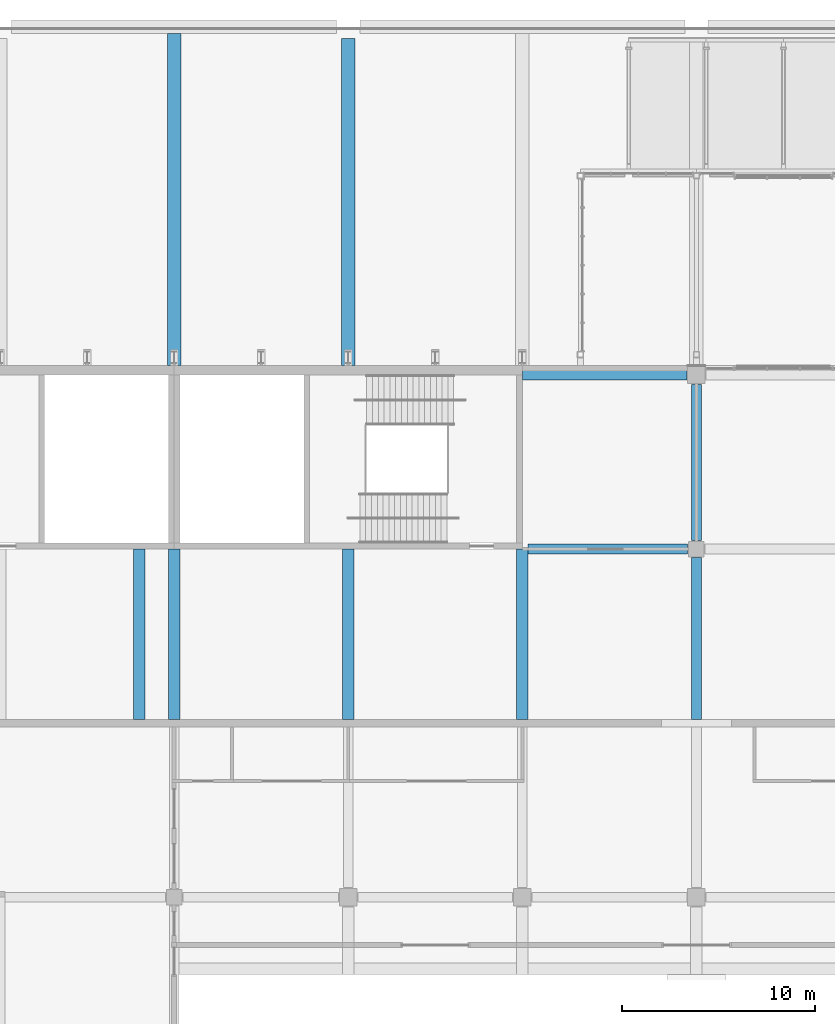
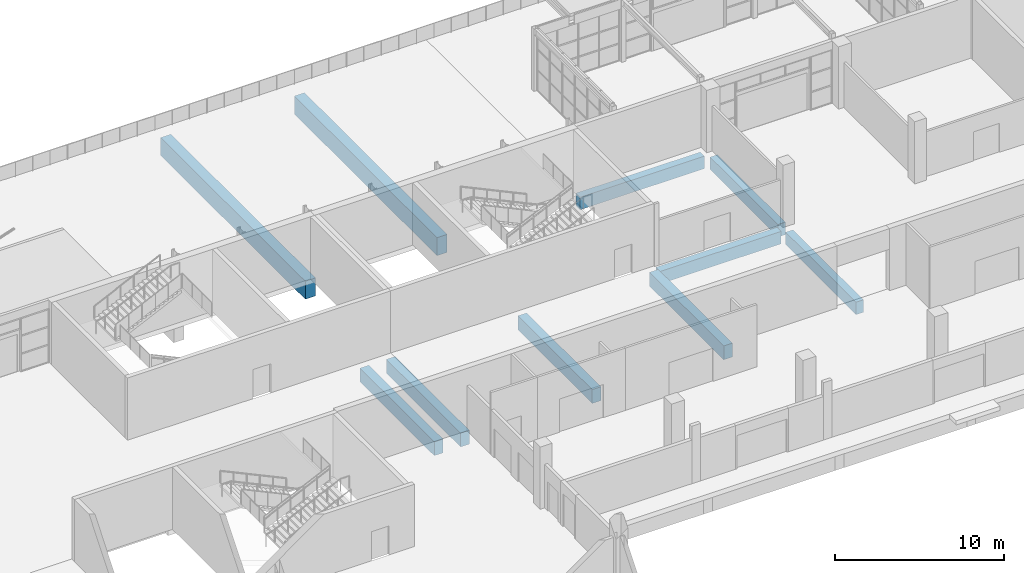
# One storey, part 57 of 168: 10 beams.
"""IFC4 building model written with IfcOpenShell, lengths in metres."""

import ifcopenshell
import ifcopenshell.guid

model = None  # the IFC model being written
_history = None  # IfcOwnerHistory: only IFC2X3 demands one
_inside = {}  # id of a spatial element -> (the spatial element, [elements in it])
_under = {}  # id of a project, library or spatial element -> (it, [spatial elements below it])
_declared = {}  # id of a project -> (the project, [libraries it declares])
_typed = {}  # id of a type object -> (the type object, [elements of that type])
_made_of = {}  # id of a material, layer set ... -> (it, [elements and type objects made of it])


def new_model(schema):
    """Start an empty IFC model of exactly this schema.

    Asked for "IFC4X3", IfcOpenShell would pick the latest addendum, in which some entities
    have other attributes; the version numbers below select the first issue.
    IFC2X3 requires an IfcOwnerHistory on every rooted entity: one is made here for all.
    """
    global model, _history
    if schema == "IFC4X3":
        model = ifcopenshell.file(schema_version=(4, 3, 0, 0))
    else:
        model = ifcopenshell.file(schema=schema)
    _inside.clear()
    _under.clear()
    _declared.clear()
    _typed.clear()
    _made_of.clear()
    _history = None
    if model.schema == "IFC2X3":
        org = make("IfcOrganization", Name="unknown")
        user = make(
            "IfcPersonAndOrganization",
            ThePerson=make("IfcPerson", FamilyName="unknown"),
            TheOrganization=org,
        )
        app = make(
            "IfcApplication",
            ApplicationDeveloper=org,
            Version="unknown",
            ApplicationFullName="unknown",
            ApplicationIdentifier="unknown",
        )
        _history = make(
            "IfcOwnerHistory",
            OwningUser=user,
            OwningApplication=app,
            ChangeAction="ADDED",
            CreationDate=0,
        )
    return model


def make(cls, **values):
    """One entity of the class cls with the attributes given. An attribute that is None is left unset."""
    return model.create_entity(
        cls, **{name: value for name, value in values.items() if value is not None}
    )


def rooted(cls, **values):
    """An entity with a GlobalId (a new one), such as an element, a storey or a relation."""
    return make(cls, GlobalId=ifcopenshell.guid.new(), OwnerHistory=_history, **values)


def si_unit(unit_type, name, prefix=None):
    """IfcSIUnit, for example si_unit("LENGTHUNIT", "METRE", prefix="MILLI")."""
    return make("IfcSIUnit", UnitType=unit_type, Prefix=prefix, Name=name)


def assignment(units):
    """IfcUnitAssignment: the units of a project."""
    return None if units is None else make("IfcUnitAssignment", Units=units)


def point(xyz):
    """IfcCartesianPoint."""
    return None if xyz is None else make("IfcCartesianPoint", Coordinates=xyz)


def direction(xyz):
    """IfcDirection."""
    return None if xyz is None else make("IfcDirection", DirectionRatios=xyz)


def frame(location, z_axis=None, x_axis=None):
    """IfcAxis2Placement3D, a coordinate frame: its origin and axes. An axis left out is left unset."""
    return make(
        "IfcAxis2Placement3D",
        Location=point(location),
        Axis=direction(z_axis),
        RefDirection=direction(x_axis),
    )


def frame_2d(location, x_axis=None):
    """IfcAxis2Placement2D, a coordinate frame in the plane: its origin and x axis."""
    return make(
        "IfcAxis2Placement2D", Location=point(location), RefDirection=direction(x_axis)
    )


def origin():
    """The frame at (0, 0, 0) with its axes left unset."""
    return frame((0.0, 0.0, 0.0))


def origin_2d():
    """The frame at (0, 0) in the plane with its x axis left unset."""
    return frame_2d((0.0, 0.0))


def place(relative_to, where):
    """IfcLocalPlacement: puts the frame where relative to a parent placement (None: the world)."""
    return make(
        "IfcLocalPlacement", PlacementRelTo=relative_to, RelativePlacement=where
    )


def context(
    kind, dimensions, precision=None, world=None, true_north=None, identifier=None
):
    """IfcGeometricRepresentationContext, for example the 3D "Model" context."""
    return make(
        "IfcGeometricRepresentationContext",
        ContextIdentifier=identifier,
        ContextType=kind,
        CoordinateSpaceDimension=dimensions,
        Precision=precision,
        WorldCoordinateSystem=world,
        TrueNorth=true_north,
    )


def subcontext(parent, identifier, kind, view, scale=None):
    """IfcGeometricRepresentationSubContext, for example "Body" below "Model"."""
    return make(
        "IfcGeometricRepresentationSubContext",
        ContextIdentifier=identifier,
        ContextType=kind,
        ParentContext=parent,
        TargetScale=scale,
        TargetView=view,
    )


def project(units=None, contexts=None):
    """IfcProject with its units and contexts."""
    return rooted(
        "IfcProject",
        Name="project",
        RepresentationContexts=contexts,
        UnitsInContext=assignment(units),
    )


def spatial(cls, under=None, at=None, **own):
    """A site, building, storey or space (cls), placed at a placement, below another one or the project."""
    s = rooted(cls, ObjectPlacement=at, **own)
    if under is not None:
        _under.setdefault(under.id(), (under, []))[1].append(s)
    return s


def profile(cls, at=None, kind="AREA", **sizes):
    """A parametric profile (cls). Its sizes go by their IFC names, for example OverallWidth=200.0."""
    return make(cls, ProfileType=kind, Position=at, **sizes)


def rectangle(**sizes):
    """IfcRectangleProfileDef."""
    return profile("IfcRectangleProfileDef", **sizes)


def extrude(swept, where, along, depth):
    """IfcExtrudedAreaSolid: the profile swept, set in the frame where, extruded along a direction by depth."""
    return make(
        "IfcExtrudedAreaSolid",
        SweptArea=swept,
        Position=where,
        ExtrudedDirection=direction(along),
        Depth=depth,
    )


def shape(context_of_items, identifier, shape_type, items):
    """IfcShapeRepresentation: the items that make up one representation, for example the "Body"."""
    return make(
        "IfcShapeRepresentation",
        ContextOfItems=context_of_items,
        RepresentationIdentifier=identifier,
        RepresentationType=shape_type,
        Items=items,
    )


def material(Name=None, Category=None):
    """IfcMaterial."""
    return make("IfcMaterial", Name=Name, Category=Category)


def material_profile(
    of_material, cross_section, Name=None, Category=None, Priority=None
):
    """IfcMaterialProfile: a cross section and its material."""
    return make(
        "IfcMaterialProfile",
        Name=Name,
        Material=of_material,
        Profile=cross_section,
        Priority=Priority,
        Category=Category,
    )


def profile_set(profiles, Name=None, composite=None):
    """IfcMaterialProfileSet."""
    return make(
        "IfcMaterialProfileSet",
        Name=Name,
        MaterialProfiles=profiles,
        CompositeProfile=composite,
    )


def made_of(thing, what):
    """Note that an element or type object is made of a material, layer set ...; save() writes the relation."""
    if what is not None:
        _made_of.setdefault(what.id(), (what, []))[1].append(thing)
    return thing


def type_object(cls, material=None, **own):
    """A type object (cls), such as IfcWallType, which elements share."""
    return made_of(rooted(cls, **own), material)


def element(
    cls,
    number,
    at=None,
    inside=None,
    cuts=None,
    type_object=None,
    material=None,
    context=None,
    identifier="Body",
    shape_type=None,
    held_by="IfcProductDefinitionShape",
    body=None,
    shapes=None,
    **own,
):
    """One element of the class cls, such as IfcWall. Its Tag is "e" and its number.

    at: its placement. inside: the storey or other place that contains it. cuts: it is an
    opening in that element (IfcRelVoidsElement). A single representation is given by context,
    identifier, shape_type and body (its items); several are given by shapes. held_by: the class
    of the entity that holds the representations. save() writes the other relations.
    """
    e = rooted(cls, Tag="e%d" % number, ObjectPlacement=at, **own)
    if body is not None:
        shapes = [shape(context, identifier, shape_type, body)]
    if shapes is not None:
        e.Representation = make(held_by, Representations=shapes)
    if inside is not None:
        _inside.setdefault(inside.id(), (inside, []))[1].append(e)
    if cuts is not None:
        rooted(
            "IfcRelVoidsElement", RelatingBuildingElement=cuts, RelatedOpeningElement=e
        )
    if type_object is not None:
        _typed.setdefault(type_object.id(), (type_object, []))[1].append(e)
    return made_of(e, material)


def aggregate(whole, parts):
    """IfcRelAggregates: a whole, such as a stair, and the parts it consists of."""
    return rooted("IfcRelAggregates", RelatingObject=whole, RelatedObjects=parts)


def save(model, path):
    """Write the relations noted so far, then the file.

    IfcRelAggregates (storeys below a building ...), IfcRelContainedInSpatialStructure (elements
    in a storey), IfcRelDefinesByType, IfcRelAssociatesMaterial and IfcRelDeclares: one each for
    every whole, place, type object, material and project.
    """
    for whole, parts in _under.values():
        aggregate(whole, parts)
    for where, things in _inside.values():
        rooted(
            "IfcRelContainedInSpatialStructure",
            RelatedElements=things,
            RelatingStructure=where,
        )
    for kind, things in _typed.values():
        rooted("IfcRelDefinesByType", RelatedObjects=things, RelatingType=kind)
    for what, things in _made_of.values():
        rooted("IfcRelAssociatesMaterial", RelatedObjects=things, RelatingMaterial=what)
    for by, libraries in _declared.values():
        rooted("IfcRelDeclares", RelatingContext=by, RelatedDefinitions=libraries)
    model.write(path)


model = new_model("IFC4")

# Units and contexts
model_context = context("Model", 3, precision=1e-05, world=origin(), true_north=direction((0.0, 1.0)))
body_context = subcontext(model_context, "Body", "Model", "MODEL_VIEW")
ifc_project = project(units=[si_unit("LENGTHUNIT", "METRE"), si_unit("AREAUNIT", "SQUARE_METRE"), si_unit("VOLUMEUNIT", "CUBIC_METRE"), si_unit("PLANEANGLEUNIT", "RADIAN"), si_unit("MASSUNIT", "GRAM", prefix="KILO")], contexts=[model_context])

# Site, building, storey
site_placement = place(None, origin())
site = spatial("IfcSite", under=ifc_project, at=site_placement, CompositionType="ELEMENT")
building_placement = place(site_placement, origin())
building = spatial("IfcBuilding", under=site, at=building_placement, Name="Silverbay Arena", CompositionType="ELEMENT")
storey_placement = place(building_placement, frame((0.0, 0.0, 7.0)))
storey = spatial("IfcBuildingStorey", under=building, at=storey_placement, Name="L01", CompositionType="ELEMENT", Elevation=7.0)

# Beams
ifc_material_1 = material(Name="Concrete Grade C45", Category="concrete")
ifc_material_profile_1 = material_profile(ifc_material_1, rectangle(XDim=0.5, YDim=0.89990234375, at=origin_2d()), Name="RC 500x900")
ifc_profile_set_1 = profile_set([ifc_material_profile_1], Name="Concrete Grade C45")
beam_type_1 = type_object("IfcBeamType", Name="RC beam 500x900", PredefinedType="BEAM", material=ifc_profile_set_1)
beam_1_placement = place(storey_placement, frame((117.300048828125, 135.0, -0.800048828125), z_axis=(1.0, 0.0, 0.0), x_axis=(0.0, 1.0, 0.0)))
element("IfcBeam", 1, at=beam_1_placement, inside=storey, type_object=beam_type_1, Name="Floor beam L01 166", PredefinedType="BEAM", context=body_context, shape_type="SweptSolid", body=[
    extrude(rectangle(XDim=0.5, YDim=0.89990234375, at=origin_2d()), origin(), (0.0, 0.0, 1.0), 8.25),
])
beam_2_placement = place(storey_placement, frame((117.0, 144.0, -0.800048828125), z_axis=(1.0, 0.0, 0.0), x_axis=(0.0, 1.0, 0.0)))
element("IfcBeam", 2, at=beam_2_placement, inside=storey, type_object=beam_type_1, Name="Floor beam L01 175", PredefinedType="BEAM", context=body_context, shape_type="SweptSolid", body=[
    extrude(rectangle(XDim=0.5, YDim=0.89990234375, at=origin_2d()), origin(), (0.0, 0.0, 1.0), 8.5),
])
beam_3_placement = place(storey_placement, frame((126.0, 126.199951171875, -0.800048828125), z_axis=(0.0, 1.0, 0.0), x_axis=(-1.0, 0.0, 0.0)))
element("IfcBeam", 3, at=beam_3_placement, inside=storey, type_object=beam_type_1, Name="Floor beam L01 271", PredefinedType="BEAM", context=body_context, shape_type="SweptSolid", body=[
    extrude(rectangle(XDim=0.5, YDim=0.89990234375, at=origin_2d()), origin(), (0.0, 0.0, 1.0), 8.35009765625),
])
beam_4_placement = place(storey_placement, frame((126.0, 135.449951171875, -0.800048828125), z_axis=(0.0, 1.0, 0.0), x_axis=(-1.0, 0.0, 0.0)))
element("IfcBeam", 4, at=beam_4_placement, inside=storey, type_object=beam_type_1, Name="Floor beam L01 272", PredefinedType="BEAM", context=body_context, shape_type="SweptSolid", body=[
    extrude(rectangle(XDim=0.5, YDim=0.89990234375, at=origin_2d()), origin(), (0.0, 0.0, 1.0), 8.050048828125),
])
ifc_material_2 = material(Name="Concrete Grade C45", Category="concrete")
ifc_material_profile_2 = material_profile(ifc_material_2, rectangle(XDim=0.60009765625, YDim=1.0, at=origin_2d()), Name="RC 600x1000")
ifc_profile_set_2 = profile_set([ifc_material_profile_2], Name="Concrete Grade C45")
beam_type_2 = type_object("IfcBeamType", Name="RC beam 600x1000", PredefinedType="BEAM", material=ifc_profile_set_2)
for number, where, z_axis, x_axis, name in (
    (5, (97.199951171875, 126.199951171875, -0.85009765625), (0.0, 1.0, 0.0), (-1.0, 0.0, 0.0), "Floor beam L01 244"),
    (6, (99.0, 126.199951171875, -0.85009765625), (0.0, 1.0, 0.0), (-1.0, 0.0, 0.0), "Floor beam L01 252"),
    (7, (108.0, 126.199951171875, -0.85009765625), (0.0, 1.0, 0.0), (-1.0, 0.0, 0.0), "Floor beam L01 258"),
    (8, (117.0, 126.199951171875, -0.85009765625), (0.0, 1.0, 0.0), (-1.0, 0.0, 0.0), "Floor beam L01 264"),
):
    element("IfcBeam", number, at=place(storey_placement, frame(where, z_axis=z_axis, x_axis=x_axis)), inside=storey, type_object=beam_type_2, Name=name, PredefinedType="BEAM", context=body_context, shape_type="SweptSolid", body=[
        extrude(rectangle(XDim=0.60009765625, YDim=1.0, at=origin_2d()), origin(), (0.0, 0.0, 1.0), 8.800048828125),
    ])
ifc_material_3 = material(Name="Concrete Grade C45", Category="concrete")
ifc_material_profile_3 = material_profile(ifc_material_3, rectangle(XDim=0.699951171875, YDim=1.300048828125, at=origin_2d()), Name="RC 700x1300")
ifc_profile_set_3 = profile_set([ifc_material_profile_3], Name="Concrete Grade C45")
beam_type_3 = type_object("IfcBeamType", Name="RC girder 700x1300", PredefinedType="BEAM", material=ifc_profile_set_3)
beam_5_placement = place(storey_placement, frame((99.0, 144.5, -1.10009765625), z_axis=(0.0, 1.0, 0.0), x_axis=(-1.0, 0.0, 0.0)))
element("IfcBeam", 9, at=beam_5_placement, inside=storey, type_object=beam_type_3, Name="Deck secondary beam 114", PredefinedType="BEAM", context=body_context, shape_type="SweptSolid", body=[
    extrude(rectangle(XDim=0.699951171875, YDim=1.300048828125, at=origin_2d()), origin(), (0.0, 0.0, 1.0), 17.14990234375),
])
beam_6_placement = place(storey_placement, frame((108.0, 144.5, -1.10009765625), z_axis=(0.0, 1.0, 0.0), x_axis=(-1.0, 0.0, 0.0)))
element("IfcBeam", 10, at=beam_6_placement, inside=storey, type_object=beam_type_3, Name="Deck secondary beam 116", PredefinedType="BEAM", context=body_context, shape_type="SweptSolid", body=[
    extrude(rectangle(XDim=0.699951171875, YDim=1.300048828125, at=origin_2d()), origin(), (0.0, 0.0, 1.0), 16.89990234375),
])

save(model, "model.ifc")
